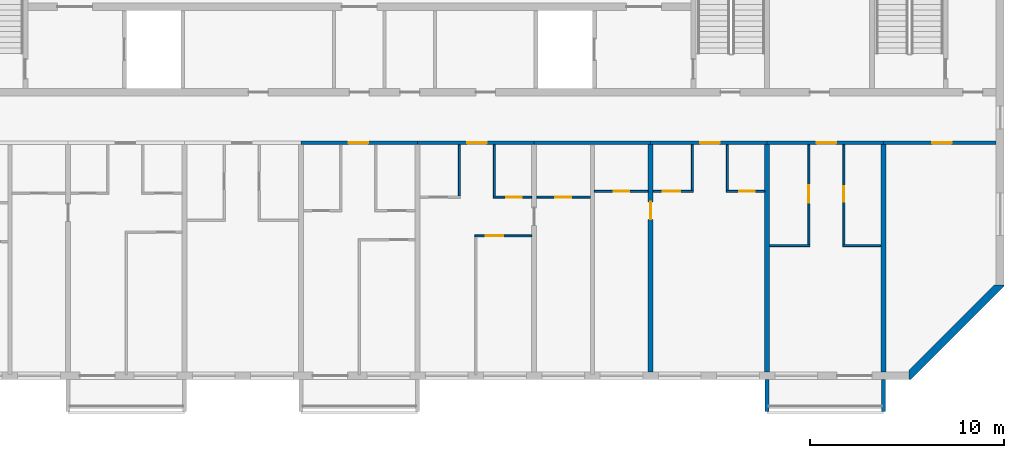
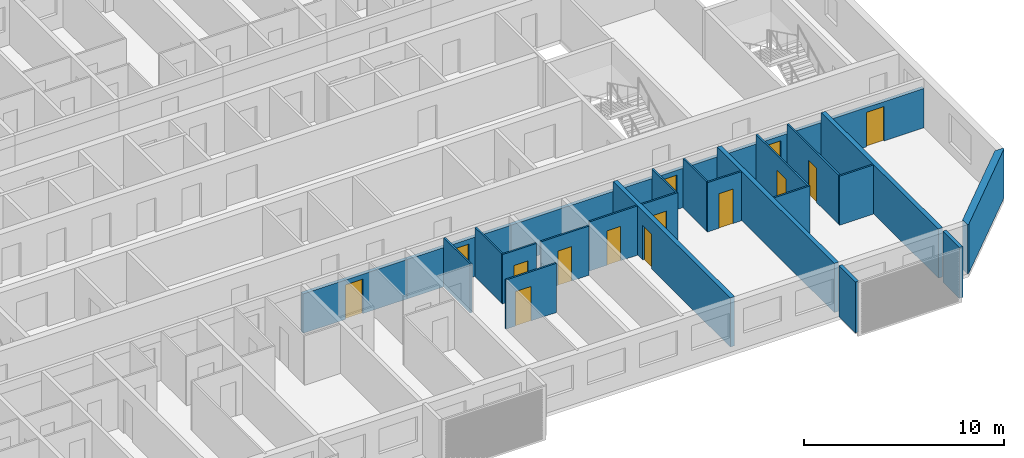
# One storey, part 5 of 27: 26 walls, 14 doors, 14 openings.
"""IFC4 building model written with IfcOpenShell, lengths in metres."""

from ifc_helpers import new_model, si_unit, direction, frame, frame_2d, origin, place, context, subcontext, project, spatial, polyline, rectangle, outline, extrude, source, transform, mapped, material, layer, layer_set, type_object, element, fill, save


model = new_model("IFC4")

# Units and contexts
model_context = context("Model", 3, precision=1e-05, world=origin(), true_north=direction((0.0, 1.0)))
body_context = subcontext(model_context, "Body", "Model", "MODEL_VIEW")
ifc_project = project(units=[si_unit("LENGTHUNIT", "METRE"), si_unit("AREAUNIT", "SQUARE_METRE"), si_unit("VOLUMEUNIT", "CUBIC_METRE"), si_unit("PLANEANGLEUNIT", "RADIAN"), si_unit("MASSUNIT", "GRAM", prefix="KILO")], contexts=[model_context])

# Site, building, storey
site_placement = place(None, origin())
site = spatial("IfcSite", under=ifc_project, at=site_placement, CompositionType="ELEMENT")
building_placement = place(site_placement, origin())
building = spatial("IfcBuilding", under=site, at=building_placement, Name="Poui Terraces", CompositionType="ELEMENT")
storey_placement = place(building_placement, frame((0.0, 0.0, 208.199951171875)))
storey = spatial("IfcBuildingStorey", under=building, at=storey_placement, Name="L58", CompositionType="ELEMENT", Elevation=208.199951171875)

# Wall, opening, door
ifc_material_1 = material(Name="Concrete 50 MPa", Category="concrete")
ifc_layer_1 = layer(ifc_material_1, 0.199951171875)
ifc_layer_set_1 = layer_set([ifc_layer_1], Name="Concrete 50 MPa")
wall_type_1 = type_object("IfcWallType", Name="CORRIDOR WALL 200 50MPa", PredefinedType="SHEAR", material=ifc_layer_set_1)
wall_1_placement = place(storey_placement, frame((48.0, 12.0, 0.0), z_axis=(0.0, 0.0, 1.0), x_axis=(1.0, 0.0, 0.0)))
wall_1 = element("IfcWall", 1, at=wall_1_placement, inside=storey, type_object=wall_type_1, Name="CORRIDOR WALL LINE B BAY 6", PredefinedType="SHEAR", context=body_context, shape_type="SweptSolid", body=[
    extrude(rectangle(XDim=6.0, YDim=0.199951171875, at=frame_2d((3.0, 0.0))), origin(), (0.0, 0.0, 1.0), 2.400146484375),
])
opening_1_placement = place(wall_1_placement, frame((2.449951171875, 0.0, 0.0)))
opening_1 = element("IfcOpeningElement", 2, at=opening_1_placement, cuts=wall_1, Name="Opening FD30S", PredefinedType="OPENING", context=body_context, shape_type="SweptSolid", body=[
    extrude(rectangle(XDim=1.0, YDim=2.10009765625, at=frame_2d((0.5, 1.050048828125))), frame((0.0, 0.10986328125, 0.0), z_axis=(0.0, -1.0, 0.0), x_axis=(1.0, 0.0, 0.0)), (0.0, 0.0, 1.0), 0.219970703125),
])
ifc_material_2 = material(Name="Steel fire door", Category="steel")
door_type_1 = type_object("IfcDoorType", Name="FLAT ENTRANCE DOOR 1000 X 2100", OperationType="NOTDEFINED", PredefinedType="DOOR", material=ifc_material_2)
door_1_placement = place(opening_1_placement, frame((1.0, 0.0, 0.0), z_axis=(0.0, 0.0, 1.0), x_axis=(-1.0, 0.0, 0.0)))
door_1 = element("IfcDoor", 3, at=door_1_placement, inside=storey, type_object=door_type_1, Name="FLAT ENTRANCE DOOR 084", OperationType="SINGLE_SWING_RIGHT", OverallHeight=2.10009765625, OverallWidth=1.0, PredefinedType="DOOR", context=body_context, shape_type="SweptSolid", body=[
    extrude(rectangle(XDim=1.0, YDim=2.10009765625, at=frame_2d((0.5, 1.050048828125))), frame((0.0, 0.02490234375, 0.0), z_axis=(0.0, -1.0, 0.0), x_axis=(1.0, 0.0, 0.0)), (0.0, 0.0, 1.0), 0.050048828125),
])
fill(opening_1, door_1)

wall_2_placement = place(storey_placement, frame((54.0, 12.0, 0.0), z_axis=(0.0, 0.0, 1.0), x_axis=(1.0, 0.0, 0.0)))
wall_2 = element("IfcWall", 4, at=wall_2_placement, inside=storey, type_object=wall_type_1, Name="CORRIDOR WALL LINE B BAY 7", PredefinedType="SHEAR", context=body_context, shape_type="SweptSolid", body=[
    extrude(rectangle(XDim=6.0, YDim=0.199951171875, at=frame_2d((3.0, 0.0))), origin(), (0.0, 0.0, 1.0), 2.400146484375),
])
opening_2_placement = place(wall_2_placement, frame((2.550048828125, 0.0, 0.0)))
opening_2 = element("IfcOpeningElement", 5, at=opening_2_placement, cuts=wall_2, Name="Opening FD30S", PredefinedType="OPENING", context=body_context, shape_type="SweptSolid", body=[
    extrude(rectangle(XDim=1.0, YDim=2.10009765625, at=frame_2d((0.5, 1.050048828125))), frame((0.0, 0.10986328125, 0.0), z_axis=(0.0, -1.0, 0.0), x_axis=(1.0, 0.0, 0.0)), (0.0, 0.0, 1.0), 0.219970703125),
])
door_2_placement = place(opening_2_placement, frame((1.0, 0.0, 0.0), z_axis=(0.0, 0.0, 1.0), x_axis=(-1.0, 0.0, 0.0)))
door_2 = element("IfcDoor", 6, at=door_2_placement, inside=storey, type_object=door_type_1, Name="FLAT ENTRANCE DOOR 089", OperationType="SINGLE_SWING_LEFT", OverallHeight=2.10009765625, OverallWidth=1.0, PredefinedType="DOOR", context=body_context, shape_type="SweptSolid", body=[
    extrude(rectangle(XDim=1.0, YDim=2.10009765625, at=frame_2d((0.5, 1.050048828125))), frame((0.0, 0.02490234375, 0.0), z_axis=(0.0, -1.0, 0.0), x_axis=(1.0, 0.0, 0.0)), (0.0, 0.0, 1.0), 0.050048828125),
])
fill(opening_2, door_2)

# Wall
wall_3_placement = place(storey_placement, frame((60.0, 12.0, 0.0), z_axis=(0.0, 0.0, 1.0), x_axis=(1.0, 0.0, 0.0)))
element("IfcWall", 7, at=wall_3_placement, inside=storey, type_object=wall_type_1, Name="CORRIDOR WALL LINE B BAY 8", PredefinedType="SHEAR", context=body_context, shape_type="SweptSolid", body=[
    extrude(rectangle(XDim=6.0, YDim=0.199951171875, at=frame_2d((3.0, 0.0))), origin(), (0.0, 0.0, 1.0), 2.400146484375),
])

# Wall, opening, door
wall_4_placement = place(storey_placement, frame((66.0, 12.0, 0.0), z_axis=(0.0, 0.0, 1.0), x_axis=(1.0, 0.0, 0.0)))
wall_4 = element("IfcWall", 8, at=wall_4_placement, inside=storey, type_object=wall_type_1, Name="CORRIDOR WALL LINE B BAY 9", PredefinedType="SHEAR", context=body_context, shape_type="SweptSolid", body=[
    extrude(rectangle(XDim=6.0, YDim=0.199951171875, at=frame_2d((3.0, 0.0))), origin(), (0.0, 0.0, 1.0), 2.400146484375),
])
opening_3_placement = place(wall_4_placement, frame((2.550048828125, 0.0, 0.0)))
opening_3 = element("IfcOpeningElement", 9, at=opening_3_placement, cuts=wall_4, Name="Opening FD30S", PredefinedType="OPENING", context=body_context, shape_type="SweptSolid", body=[
    extrude(rectangle(XDim=1.0, YDim=2.10009765625, at=frame_2d((0.5, 1.050048828125))), frame((0.0, 0.10986328125, 0.0), z_axis=(0.0, -1.0, 0.0), x_axis=(1.0, 0.0, 0.0)), (0.0, 0.0, 1.0), 0.219970703125),
])
door_3_placement = place(opening_3_placement, frame((1.0, 0.0, 0.0), z_axis=(0.0, 0.0, 1.0), x_axis=(-1.0, 0.0, 0.0)))
door_3 = element("IfcDoor", 10, at=door_3_placement, inside=storey, type_object=door_type_1, Name="FLAT ENTRANCE DOOR 096", OperationType="SINGLE_SWING_LEFT", OverallHeight=2.10009765625, OverallWidth=1.0, PredefinedType="DOOR", context=body_context, shape_type="SweptSolid", body=[
    extrude(rectangle(XDim=1.0, YDim=2.10009765625, at=frame_2d((0.5, 1.050048828125))), frame((0.0, 0.02490234375, 0.0), z_axis=(0.0, -1.0, 0.0), x_axis=(1.0, 0.0, 0.0)), (0.0, 0.0, 1.0), 0.050048828125),
])
fill(opening_3, door_3)

wall_5_placement = place(storey_placement, frame((72.0, 12.0, 0.0), z_axis=(0.0, 0.0, 1.0), x_axis=(1.0, 0.0, 0.0)))
wall_5 = element("IfcWall", 11, at=wall_5_placement, inside=storey, type_object=wall_type_1, Name="CORRIDOR WALL LINE B BAY 10", PredefinedType="SHEAR", context=body_context, shape_type="SweptSolid", body=[
    extrude(rectangle(XDim=6.0, YDim=0.199951171875, at=frame_2d((3.0, 0.0))), origin(), (0.0, 0.0, 1.0), 2.400146484375),
])
opening_4_placement = place(wall_5_placement, frame((2.550048828125, 0.0, 0.0)))
opening_4 = element("IfcOpeningElement", 12, at=opening_4_placement, cuts=wall_5, Name="Opening FD30S", PredefinedType="OPENING", context=body_context, shape_type="SweptSolid", body=[
    extrude(rectangle(XDim=1.0, YDim=2.10009765625, at=frame_2d((0.5, 1.050048828125))), frame((0.0, 0.10986328125, 0.0), z_axis=(0.0, -1.0, 0.0), x_axis=(1.0, 0.0, 0.0)), (0.0, 0.0, 1.0), 0.219970703125),
])
door_4_placement = place(opening_4_placement, frame((1.0, 0.0, 0.0), z_axis=(0.0, 0.0, 1.0), x_axis=(-1.0, 0.0, 0.0)))
door_4 = element("IfcDoor", 13, at=door_4_placement, inside=storey, type_object=door_type_1, Name="FLAT ENTRANCE DOOR 099", OperationType="SINGLE_SWING_LEFT", OverallHeight=2.10009765625, OverallWidth=1.0, PredefinedType="DOOR", context=body_context, shape_type="SweptSolid", body=[
    extrude(rectangle(XDim=1.0, YDim=2.10009765625, at=frame_2d((0.5, 1.050048828125))), frame((0.0, 0.02490234375, 0.0), z_axis=(0.0, -1.0, 0.0), x_axis=(1.0, 0.0, 0.0)), (0.0, 0.0, 1.0), 0.050048828125),
])
fill(opening_4, door_4)

wall_6_placement = place(storey_placement, frame((78.0, 12.0, 0.0), z_axis=(0.0, 0.0, 1.0), x_axis=(1.0, 0.0, 0.0)))
wall_6 = element("IfcWall", 14, at=wall_6_placement, inside=storey, type_object=wall_type_1, Name="CORRIDOR WALL LINE B BAY 11", PredefinedType="SHEAR", context=body_context, shape_type="SweptSolid", body=[
    extrude(rectangle(XDim=5.800048828125, YDim=0.199951171875, at=frame_2d((2.89990234375, 0.0))), origin(), (0.0, 0.0, 1.0), 2.400146484375),
])
opening_5_placement = place(wall_6_placement, frame((2.5, 0.0, 0.0)))
opening_5 = element("IfcOpeningElement", 15, at=opening_5_placement, cuts=wall_6, Name="Opening D100", PredefinedType="OPENING", context=body_context, shape_type="SweptSolid", body=[
    extrude(rectangle(XDim=1.0, YDim=2.10009765625, at=frame_2d((0.5, 1.050048828125))), frame((0.0, 0.10986328125, 0.0), z_axis=(0.0, -1.0, 0.0), x_axis=(1.0, 0.0, 0.0)), (0.0, 0.0, 1.0), 0.219970703125),
])
ifc_material_3 = material(Name="Solid core timber door", Category="wood")
door_type_2 = type_object("IfcDoorType", Name="ACCESSIBLE INTERNAL DOOR 1000 X 2100", OperationType="NOTDEFINED", PredefinedType="DOOR", material=ifc_material_3)
door_5_placement = place(opening_5_placement, frame((1.0, 0.0, 0.0), z_axis=(0.0, 0.0, 1.0), x_axis=(-1.0, 0.0, 0.0)))
door_5 = element("IfcDoor", 16, at=door_5_placement, inside=storey, type_object=door_type_2, Name="ACCESSIBLE INTERNAL DOOR 101", OperationType="SINGLE_SWING_RIGHT", OverallHeight=2.10009765625, OverallWidth=1.0, PredefinedType="DOOR", context=body_context, shape_type="SweptSolid", body=[
    extrude(rectangle(XDim=1.0, YDim=2.10009765625, at=frame_2d((0.5, 1.050048828125))), frame((0.0, 0.02490234375, 0.0), z_axis=(0.0, -1.0, 0.0), x_axis=(1.0, 0.0, 0.0)), (0.0, 0.0, 1.0), 0.050048828125),
])
fill(opening_5, door_5)

ifc_layer_2 = layer(ifc_material_1, 0.25)
ifc_layer_set_2 = layer_set([ifc_layer_2], Name="Concrete 50 MPa")
wall_type_2 = type_object("IfcWallType", Name="CROSS WALL 250 50MPa", PredefinedType="SHEAR", material=ifc_layer_set_2)
wall_7_placement = place(storey_placement, frame((66.0, 0.199951171875, 0.0), z_axis=(0.0, 0.0, 1.0), x_axis=(0.0, 1.0, 0.0)))
wall_7 = element("IfcWall", 17, at=wall_7_placement, inside=storey, type_object=wall_type_2, Name="CROSS WALL LINE 12 SOUTH", PredefinedType="SHEAR", context=body_context, shape_type="SweptSolid", body=[
    extrude(rectangle(XDim=11.699951171875, YDim=0.25, at=frame_2d((5.85009765625, 0.0))), origin(), (0.0, 0.0, 1.0), 3.0),
])
opening_6_placement = place(wall_7_placement, frame((7.85009765625, 0.0, 0.0)))
opening_6 = element("IfcOpeningElement", 18, at=opening_6_placement, cuts=wall_7, Name="Opening D90", PredefinedType="OPENING", context=body_context, shape_type="SweptSolid", body=[
    extrude(rectangle(XDim=0.89990234375, YDim=2.10009765625, at=frame_2d((0.449951171875, 1.050048828125))), frame((0.0, 0.135009765625, 0.0), z_axis=(0.0, -1.0, 0.0), x_axis=(1.0, 0.0, 0.0)), (0.0, 0.0, 1.0), 0.27001953125),
])
door_type_3 = type_object("IfcDoorType", Name="INTERNAL DOOR 900 X 2100", OperationType="NOTDEFINED", PredefinedType="DOOR", material=ifc_material_3)
door_6_placement = place(opening_6_placement, origin())
door_6 = element("IfcDoor", 19, at=door_6_placement, inside=storey, type_object=door_type_3, Name="INTERNAL DOOR 094", OperationType="SINGLE_SWING_RIGHT", OverallHeight=2.10009765625, OverallWidth=0.89990234375, PredefinedType="DOOR", context=body_context, shape_type="SweptSolid", body=[
    extrude(rectangle(XDim=0.89990234375, YDim=2.10009765625, at=frame_2d((0.449951171875, 1.050048828125))), frame((0.0, 0.02490234375, 0.0), z_axis=(0.0, -1.0, 0.0), x_axis=(1.0, 0.0, 0.0)), (0.0, 0.0, 1.0), 0.050048828125),
])
fill(opening_6, door_6)

# Walls
for number, where, z_axis, x_axis, name in (
    (20, (72.0, 0.199951171875, 0.0), (0.0, 0.0, 1.0), (0.0, 1.0, 0.0), "CROSS WALL LINE 13 SOUTH"),
    (21, (78.0, 0.199951171875, 0.0), (0.0, 0.0, 1.0), (0.0, 1.0, 0.0), "CROSS WALL LINE 14 SOUTH"),
):
    element("IfcWall", number, at=place(storey_placement, frame(where, z_axis=z_axis, x_axis=x_axis)), inside=storey, type_object=wall_type_2, Name=name, PredefinedType="SHEAR", context=body_context, shape_type="SweptSolid", body=[
        extrude(rectangle(XDim=11.699951171875, YDim=0.25, at=frame_2d((5.85009765625, 0.0))), origin(), (0.0, 0.0, 1.0), 3.0),
    ])
ifc_material_4 = material(Name="Plasterboard partition")
ifc_layer_3 = layer(ifc_material_4, 0.10009765625)
ifc_layer_set_3 = layer_set([ifc_layer_3], Name="Plasterboard partition")
wall_type_3 = type_object("IfcWallType", Name="FLAT PARTITION 100", PredefinedType="PARTITIONING", material=ifc_layer_set_3)
wall_8_placement = place(storey_placement, frame((72.135009765625, 6.699951171875, 0.0), z_axis=(0.0, 0.0, 1.0), x_axis=(1.0, 0.0, 0.0)))
element("IfcWall", 22, at=wall_8_placement, inside=storey, type_object=wall_type_3, Name="FLAT PARTITION 100", PredefinedType="PARTITIONING", context=body_context, shape_type="SweptSolid", body=[
    extrude(rectangle(XDim=2.06494140625, YDim=0.10009765625, at=frame_2d((1.032470703125, 0.0))), origin(), (0.0, 0.0, 1.0), 3.0),
])
wall_9_placement = place(storey_placement, frame((75.89990234375, 6.699951171875, 0.0), z_axis=(0.0, 0.0, 1.0), x_axis=(1.0, 0.0, 0.0)))
element("IfcWall", 23, at=wall_9_placement, inside=storey, type_object=wall_type_3, Name="FLAT PARTITION 100", PredefinedType="PARTITIONING", context=body_context, shape_type="SweptSolid", body=[
    extrude(rectangle(XDim=1.965087890625, YDim=0.10009765625, at=frame_2d((0.982421875, 0.0))), origin(), (0.0, 0.0, 1.0), 3.0),
])

# Wall, opening, door
wall_10_placement = place(storey_placement, frame((56.949951171875, 7.199951171875, 0.0), z_axis=(0.0, 0.0, 1.0), x_axis=(1.0, 0.0, 0.0)))
wall_10 = element("IfcWall", 24, at=wall_10_placement, inside=storey, type_object=wall_type_3, Name="FLAT PARTITION 100", PredefinedType="PARTITIONING", context=body_context, shape_type="SweptSolid", body=[
    extrude(rectangle(XDim=2.9150390625, YDim=0.10009765625, at=frame_2d((1.45751953125, 0.0))), origin(), (0.0, 0.0, 1.0), 3.0),
])
opening_7_placement = place(wall_10_placement, frame((0.550048828125, 0.0, 0.0)))
opening_7 = element("IfcOpeningElement", 25, at=opening_7_placement, cuts=wall_10, Name="Opening D90", PredefinedType="OPENING", context=body_context, shape_type="SweptSolid", body=[
    extrude(rectangle(XDim=0.89990234375, YDim=2.10009765625, at=frame_2d((0.449951171875, 1.050048828125))), frame((0.0, 0.06005859375, 0.0), z_axis=(0.0, -1.0, 0.0), x_axis=(1.0, 0.0, 0.0)), (0.0, 0.0, 1.0), 0.1201171875),
])
door_7_placement = place(opening_7_placement, origin())
door_7 = element("IfcDoor", 26, at=door_7_placement, inside=storey, type_object=door_type_3, Name="INTERNAL DOOR 090", OperationType="SINGLE_SWING_RIGHT", OverallHeight=2.10009765625, OverallWidth=0.89990234375, PredefinedType="DOOR", context=body_context, shape_type="SweptSolid", body=[
    extrude(rectangle(XDim=0.89990234375, YDim=2.10009765625, at=frame_2d((0.449951171875, 1.050048828125))), frame((0.0, 0.02490234375, 0.0), z_axis=(0.0, -1.0, 0.0), x_axis=(1.0, 0.0, 0.0)), (0.0, 0.0, 1.0), 0.050048828125),
])
fill(opening_7, door_7)

wall_11_placement = place(storey_placement, frame((57.89990234375, 9.199951171875, 0.0), z_axis=(0.0, 0.0, 1.0), x_axis=(1.0, 0.0, 0.0)))
wall_11 = element("IfcWall", 27, at=wall_11_placement, inside=storey, type_object=wall_type_3, Name="FLAT PARTITION 100", PredefinedType="PARTITIONING", context=body_context, shape_type="SweptSolid", body=[
    extrude(rectangle(XDim=1.965087890625, YDim=0.10009765625, at=frame_2d((0.982421875, 0.0))), origin(), (0.0, 0.0, 1.0), 3.0),
])
opening_8_placement = place(wall_11_placement, frame((0.675048828125, 0.0, 0.0)))
opening_8 = element("IfcOpeningElement", 28, at=opening_8_placement, cuts=wall_11, Name="Opening D80", PredefinedType="OPENING", context=body_context, shape_type="SweptSolid", body=[
    extrude(rectangle(XDim=0.800048828125, YDim=2.10009765625, at=frame_2d((0.39990234375, 1.050048828125))), frame((0.0, 0.06005859375, 0.0), z_axis=(0.0, -1.0, 0.0), x_axis=(1.0, 0.0, 0.0)), (0.0, 0.0, 1.0), 0.1201171875),
])
door_type_4 = type_object("IfcDoorType", Name="BATHROOM, LAUNDRY AND STORE DOOR 800 X 2100", OperationType="NOTDEFINED", PredefinedType="DOOR", material=ifc_material_3)
door_8_placement = place(opening_8_placement, origin())
door_8 = element("IfcDoor", 29, at=door_8_placement, inside=storey, type_object=door_type_4, Name="BATHROOM, LAUNDRY AND STORE DOOR 091", OperationType="SINGLE_SWING_LEFT", OverallHeight=2.10009765625, OverallWidth=0.800048828125, PredefinedType="DOOR", context=body_context, shape_type="SweptSolid", body=[
    extrude(rectangle(XDim=0.800048828125, YDim=2.10009765625, at=frame_2d((0.39990234375, 1.050048828125))), frame((0.0, 0.02490234375, 0.0), z_axis=(0.0, -1.0, 0.0), x_axis=(1.0, 0.0, 0.0)), (0.0, 0.0, 1.0), 0.050048828125),
])
fill(opening_8, door_8)

wall_12_placement = place(storey_placement, frame((60.135009765625, 9.199951171875, 0.0), z_axis=(0.0, 0.0, 1.0), x_axis=(1.0, 0.0, 0.0)))
wall_12 = element("IfcWall", 30, at=wall_12_placement, inside=storey, type_object=wall_type_3, Name="FLAT PARTITION 100", PredefinedType="PARTITIONING", context=body_context, shape_type="SweptSolid", body=[
    extrude(rectangle(XDim=2.764892578125, YDim=0.10009765625, at=frame_2d((1.38232421875, 0.0))), origin(), (0.0, 0.0, 1.0), 3.0),
])
opening_9_placement = place(wall_12_placement, frame((0.965087890625, 0.0, 0.0)))
opening_9 = element("IfcOpeningElement", 31, at=opening_9_placement, cuts=wall_12, Name="Opening D80", PredefinedType="OPENING", context=body_context, shape_type="SweptSolid", body=[
    extrude(rectangle(XDim=0.800048828125, YDim=2.10009765625, at=frame_2d((0.39990234375, 1.050048828125))), frame((0.0, 0.06005859375, 0.0), z_axis=(0.0, -1.0, 0.0), x_axis=(1.0, 0.0, 0.0)), (0.0, 0.0, 1.0), 0.1201171875),
])
door_9_placement = place(opening_9_placement, origin())
door_9 = element("IfcDoor", 32, at=door_9_placement, inside=storey, type_object=door_type_4, Name="BATHROOM, LAUNDRY AND STORE DOOR 087", OperationType="SINGLE_SWING_RIGHT", OverallHeight=2.10009765625, OverallWidth=0.800048828125, PredefinedType="DOOR", context=body_context, shape_type="SweptSolid", body=[
    extrude(rectangle(XDim=0.800048828125, YDim=2.10009765625, at=frame_2d((0.39990234375, 1.050048828125))), frame((0.0, 0.02490234375, 0.0), z_axis=(0.0, -1.0, 0.0), x_axis=(1.0, 0.0, 0.0)), (0.0, 0.0, 1.0), 0.050048828125),
])
fill(opening_9, door_9)

wall_13_placement = place(storey_placement, frame((63.10009765625, 9.5, 0.0), z_axis=(0.0, 0.0, 1.0), x_axis=(1.0, 0.0, 0.0)))
wall_13 = element("IfcWall", 33, at=wall_13_placement, inside=storey, type_object=wall_type_3, Name="FLAT PARTITION 100", PredefinedType="PARTITIONING", context=body_context, shape_type="SweptSolid", body=[
    extrude(rectangle(XDim=2.764892578125, YDim=0.10009765625, at=frame_2d((1.38232421875, 0.0))), origin(), (0.0, 0.0, 1.0), 3.0),
])
opening_10_placement = place(wall_13_placement, frame((1.0, 0.0, 0.0)))
opening_10 = element("IfcOpeningElement", 34, at=opening_10_placement, cuts=wall_13, Name="Opening D80", PredefinedType="OPENING", context=body_context, shape_type="SweptSolid", body=[
    extrude(rectangle(XDim=0.800048828125, YDim=2.10009765625, at=frame_2d((0.39990234375, 1.050048828125))), frame((0.0, 0.06005859375, 0.0), z_axis=(0.0, -1.0, 0.0), x_axis=(1.0, 0.0, 0.0)), (0.0, 0.0, 1.0), 0.1201171875),
])
door_10_placement = place(opening_10_placement, origin())
door_10 = element("IfcDoor", 35, at=door_10_placement, inside=storey, type_object=door_type_4, Name="BATHROOM, LAUNDRY AND STORE DOOR 093", OperationType="SINGLE_SWING_LEFT", OverallHeight=2.10009765625, OverallWidth=0.800048828125, PredefinedType="DOOR", context=body_context, shape_type="SweptSolid", body=[
    extrude(rectangle(XDim=0.800048828125, YDim=2.10009765625, at=frame_2d((0.39990234375, 1.050048828125))), frame((0.0, 0.02490234375, 0.0), z_axis=(0.0, -1.0, 0.0), x_axis=(1.0, 0.0, 0.0)), (0.0, 0.0, 1.0), 0.050048828125),
])
fill(opening_10, door_10)

wall_14_placement = place(storey_placement, frame((66.135009765625, 9.5, 0.0), z_axis=(0.0, 0.0, 1.0), x_axis=(1.0, 0.0, 0.0)))
wall_14 = element("IfcWall", 36, at=wall_14_placement, inside=storey, type_object=wall_type_3, Name="FLAT PARTITION 100", PredefinedType="PARTITIONING", context=body_context, shape_type="SweptSolid", body=[
    extrude(rectangle(XDim=2.06494140625, YDim=0.10009765625, at=frame_2d((1.032470703125, 0.0))), origin(), (0.0, 0.0, 1.0), 3.0),
])
opening_11_placement = place(wall_14_placement, frame((0.489990234375, 0.0, 0.0)))
opening_11 = element("IfcOpeningElement", 37, at=opening_11_placement, cuts=wall_14, Name="Opening D90", PredefinedType="OPENING", context=body_context, shape_type="SweptSolid", body=[
    extrude(rectangle(XDim=0.89990234375, YDim=2.10009765625, at=frame_2d((0.449951171875, 1.050048828125))), frame((0.0, 0.06005859375, 0.0), z_axis=(0.0, -1.0, 0.0), x_axis=(1.0, 0.0, 0.0)), (0.0, 0.0, 1.0), 0.1201171875),
])
door_11_placement = place(opening_11_placement, origin())
door_11 = element("IfcDoor", 38, at=door_11_placement, inside=storey, type_object=door_type_3, Name="INTERNAL DOOR 095", OperationType="SINGLE_SWING_RIGHT", OverallHeight=2.10009765625, OverallWidth=0.89990234375, PredefinedType="DOOR", context=body_context, shape_type="SweptSolid", body=[
    extrude(rectangle(XDim=0.89990234375, YDim=2.10009765625, at=frame_2d((0.449951171875, 1.050048828125))), frame((0.0, 0.02490234375, 0.0), z_axis=(0.0, -1.0, 0.0), x_axis=(1.0, 0.0, 0.0)), (0.0, 0.0, 1.0), 0.050048828125),
])
fill(opening_11, door_11)

wall_15_placement = place(storey_placement, frame((69.89990234375, 9.5, 0.0), z_axis=(0.0, 0.0, 1.0), x_axis=(1.0, 0.0, 0.0)))
wall_15 = element("IfcWall", 39, at=wall_15_placement, inside=storey, type_object=wall_type_3, Name="FLAT PARTITION 100", PredefinedType="PARTITIONING", context=body_context, shape_type="SweptSolid", body=[
    extrude(rectangle(XDim=1.965087890625, YDim=0.10009765625, at=frame_2d((0.982421875, 0.0))), origin(), (0.0, 0.0, 1.0), 3.0),
])
opening_12_placement = place(wall_15_placement, frame((0.675048828125, 0.0, 0.0)))
opening_12 = element("IfcOpeningElement", 40, at=opening_12_placement, cuts=wall_15, Name="Opening D80", PredefinedType="OPENING", context=body_context, shape_type="SweptSolid", body=[
    extrude(rectangle(XDim=0.800048828125, YDim=2.10009765625, at=frame_2d((0.39990234375, 1.050048828125))), frame((0.0, 0.06005859375, 0.0), z_axis=(0.0, -1.0, 0.0), x_axis=(1.0, 0.0, 0.0)), (0.0, 0.0, 1.0), 0.1201171875),
])
door_12_placement = place(opening_12_placement, origin())
door_12 = element("IfcDoor", 41, at=door_12_placement, inside=storey, type_object=door_type_4, Name="BATHROOM, LAUNDRY AND STORE DOOR 097", OperationType="SINGLE_SWING_LEFT", OverallHeight=2.10009765625, OverallWidth=0.800048828125, PredefinedType="DOOR", context=body_context, shape_type="SweptSolid", body=[
    extrude(rectangle(XDim=0.800048828125, YDim=2.10009765625, at=frame_2d((0.39990234375, 1.050048828125))), frame((0.0, 0.02490234375, 0.0), z_axis=(0.0, -1.0, 0.0), x_axis=(1.0, 0.0, 0.0)), (0.0, 0.0, 1.0), 0.050048828125),
])
fill(opening_12, door_12)

# Walls
for number, where, z_axis, x_axis, name in (
    (42, (56.14990234375, 9.25, 0.0), (0.0, 0.0, 1.0), (0.0, 1.0, 0.0), "FLAT PARTITION 100"),
    (43, (57.949951171875, 9.25, 0.0), (0.0, 0.0, 1.0), (0.0, 1.0, 0.0), "FLAT PARTITION 100"),
):
    element("IfcWall", number, at=place(storey_placement, frame(where, z_axis=z_axis, x_axis=x_axis)), inside=storey, type_object=wall_type_3, Name=name, PredefinedType="PARTITIONING", context=body_context, shape_type="SweptSolid", body=[
        extrude(rectangle(XDim=2.639892578125, YDim=0.10009765625, at=frame_2d((1.31982421875, 0.0))), origin(), (0.0, 0.0, 1.0), 3.0),
    ])
for number, where, z_axis, x_axis, name in (
    (44, (68.14990234375, 9.550048828125, 0.0), (0.0, 0.0, 1.0), (0.0, 1.0, 0.0), "FLAT PARTITION 100"),
    (45, (69.949951171875, 9.550048828125, 0.0), (0.0, 0.0, 1.0), (0.0, 1.0, 0.0), "FLAT PARTITION 100"),
):
    element("IfcWall", number, at=place(storey_placement, frame(where, z_axis=z_axis, x_axis=x_axis)), inside=storey, type_object=wall_type_3, Name=name, PredefinedType="PARTITIONING", context=body_context, shape_type="SweptSolid", body=[
        extrude(rectangle(XDim=2.33984375, YDim=0.10009765625, at=frame_2d((1.169921875, 0.0))), origin(), (0.0, 0.0, 1.0), 3.0),
    ])

# Wall, opening, door
wall_16_placement = place(storey_placement, frame((74.14990234375, 6.75, 0.0), z_axis=(0.0, 0.0, 1.0), x_axis=(0.0, 1.0, 0.0)))
wall_16 = element("IfcWall", 46, at=wall_16_placement, inside=storey, type_object=wall_type_3, Name="FLAT PARTITION 100", PredefinedType="PARTITIONING", context=body_context, shape_type="SweptSolid", body=[
    extrude(rectangle(XDim=5.139892578125, YDim=0.10009765625, at=frame_2d((2.56982421875, 0.0))), origin(), (0.0, 0.0, 1.0), 3.0),
])
opening_13_placement = place(wall_16_placement, frame((2.14990234375, 0.0, 0.0)))
opening_13 = element("IfcOpeningElement", 47, at=opening_13_placement, cuts=wall_16, Name="Opening D90", PredefinedType="OPENING", context=body_context, shape_type="SweptSolid", body=[
    extrude(rectangle(XDim=0.89990234375, YDim=2.10009765625, at=frame_2d((0.449951171875, 1.050048828125))), frame((0.0, 0.06005859375, 0.0), z_axis=(0.0, -1.0, 0.0), x_axis=(1.0, 0.0, 0.0)), (0.0, 0.0, 1.0), 0.1201171875),
])
door_13_placement = place(opening_13_placement, origin())
door_13 = element("IfcDoor", 48, at=door_13_placement, inside=storey, type_object=door_type_3, Name="INTERNAL DOOR 098", OperationType="SINGLE_SWING_LEFT", OverallHeight=2.10009765625, OverallWidth=0.89990234375, PredefinedType="DOOR", context=body_context, shape_type="SweptSolid", body=[
    extrude(rectangle(XDim=0.89990234375, YDim=2.10009765625, at=frame_2d((0.449951171875, 1.050048828125))), frame((0.0, 0.02490234375, 0.0), z_axis=(0.0, -1.0, 0.0), x_axis=(1.0, 0.0, 0.0)), (0.0, 0.0, 1.0), 0.050048828125),
])
fill(opening_13, door_13)

wall_17_placement = place(storey_placement, frame((75.949951171875, 6.75, 0.0), z_axis=(0.0, 0.0, 1.0), x_axis=(0.0, 1.0, 0.0)))
wall_17 = element("IfcWall", 49, at=wall_17_placement, inside=storey, type_object=wall_type_3, Name="FLAT PARTITION 100", PredefinedType="PARTITIONING", context=body_context, shape_type="SweptSolid", body=[
    extrude(rectangle(XDim=5.139892578125, YDim=0.10009765625, at=frame_2d((2.56982421875, 0.0))), origin(), (0.0, 0.0, 1.0), 3.0),
])
opening_14_placement = place(wall_17_placement, frame((2.199951171875, 0.0, 0.0)))
opening_14 = element("IfcOpeningElement", 50, at=opening_14_placement, cuts=wall_17, Name="Opening D80", PredefinedType="OPENING", context=body_context, shape_type="SweptSolid", body=[
    extrude(rectangle(XDim=0.800048828125, YDim=2.10009765625, at=frame_2d((0.39990234375, 1.050048828125))), frame((0.0, 0.06005859375, 0.0), z_axis=(0.0, -1.0, 0.0), x_axis=(1.0, 0.0, 0.0)), (0.0, 0.0, 1.0), 0.1201171875),
])
door_14_placement = place(opening_14_placement, frame((0.800048828125, 0.0, 0.0), z_axis=(0.0, 0.0, 1.0), x_axis=(-1.0, 0.0, 0.0)))
door_14 = element("IfcDoor", 51, at=door_14_placement, inside=storey, type_object=door_type_4, Name="BATHROOM, LAUNDRY AND STORE DOOR 100", OperationType="SINGLE_SWING_LEFT", OverallHeight=2.10009765625, OverallWidth=0.800048828125, PredefinedType="DOOR", context=body_context, shape_type="SweptSolid", body=[
    extrude(rectangle(XDim=0.800048828125, YDim=2.10009765625, at=frame_2d((0.39990234375, 1.050048828125))), frame((0.0, 0.02490234375, 0.0), z_axis=(0.0, -1.0, 0.0), x_axis=(1.0, 0.0, 0.0)), (0.0, 0.0, 1.0), 0.050048828125),
])
fill(opening_14, door_14)

# Walls
ifc_material_5 = material(Name="Precast concrete 40 MPa", Category="concrete")
ifc_layer_4 = layer(ifc_material_5, 0.39990234375)
ifc_layer_set_4 = layer_set([ifc_layer_4], Name="Precast concrete 40 MPa")
wall_type_4 = type_object("IfcWallType", Name="TERRACOTTA CLAD CHAMFER WALL 400", PredefinedType="STANDARD", material=ifc_layer_set_4)
wall_18_placement = place(storey_placement, origin())
element("IfcWall", 52, at=wall_18_placement, inside=storey, type_object=wall_type_4, Name="CHAMFER WALL CH01", PredefinedType="STANDARD", context=body_context, shape_type="SweptSolid", body=[
    extrude(outline(polyline([(79.317138671875, -0.199951171875), (79.39990234375, -0.199951171875), (84.199951171875, 4.60009765625), (84.199951171875, 4.682861328125), (83.71728515625, 4.682861328125), (79.317138671875, 0.28271484375), (79.317138671875, -0.199951171875)])), origin(), (0.0, 0.0, 1.0), 3.0),
])
ifc_layer_5 = layer(ifc_material_5, 0.199951171875)
ifc_layer_set_5 = layer_set([ifc_layer_5], Name="Precast concrete 40 MPa")
wall_type_5 = type_object("IfcWallType", Name="REAR FIN 200", PredefinedType="STANDARD", material=ifc_layer_set_5)
shared_shape = source(origin(), body_context, "Body", "SweptSolid", [
    extrude(outline(polyline([(0.0, 0.0), (0.2001953125, 0.0), (0.2001953125, 1.650146484375), (0.0, 1.650146484375), (0.0, 0.0)])), origin(), (0.0, 0.0, 1.0), 3.10009765625),
])
for number, where, name in (
    (53, (71.89990234375, -1.85009765625, 0.0), "REAR FIN"),
    (54, (77.89990234375, -1.85009765625, 0.0), "REAR FIN"),
):
    element("IfcWall", number, at=place(storey_placement, frame(where)), inside=storey, type_object=wall_type_5, Name=name, PredefinedType="STANDARD", context=body_context, shape_type="MappedRepresentation", body=[
        mapped(shared_shape, transform((0.0, 0.0, 0.0))),
    ])

save(model, "model.ifc")
